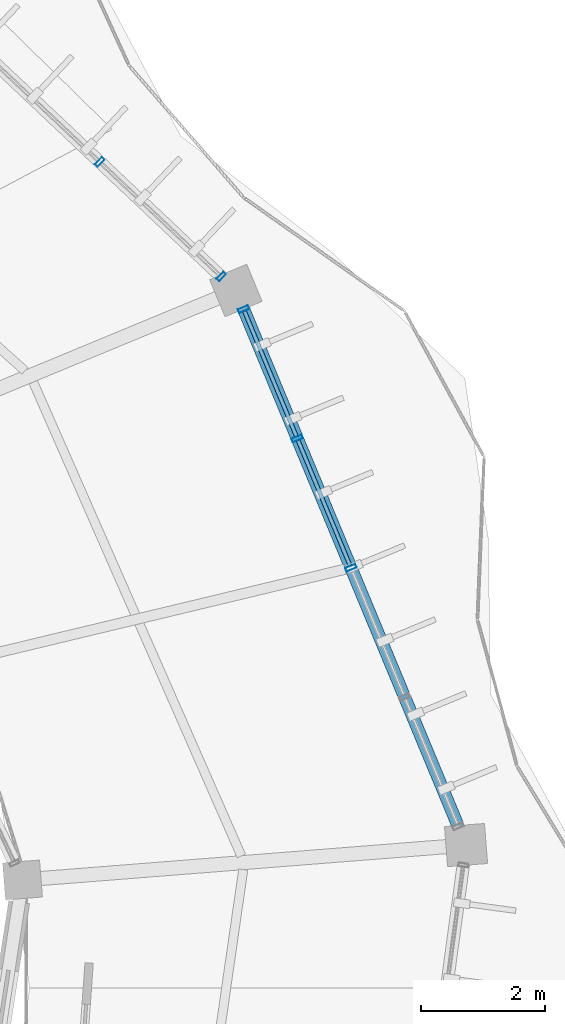
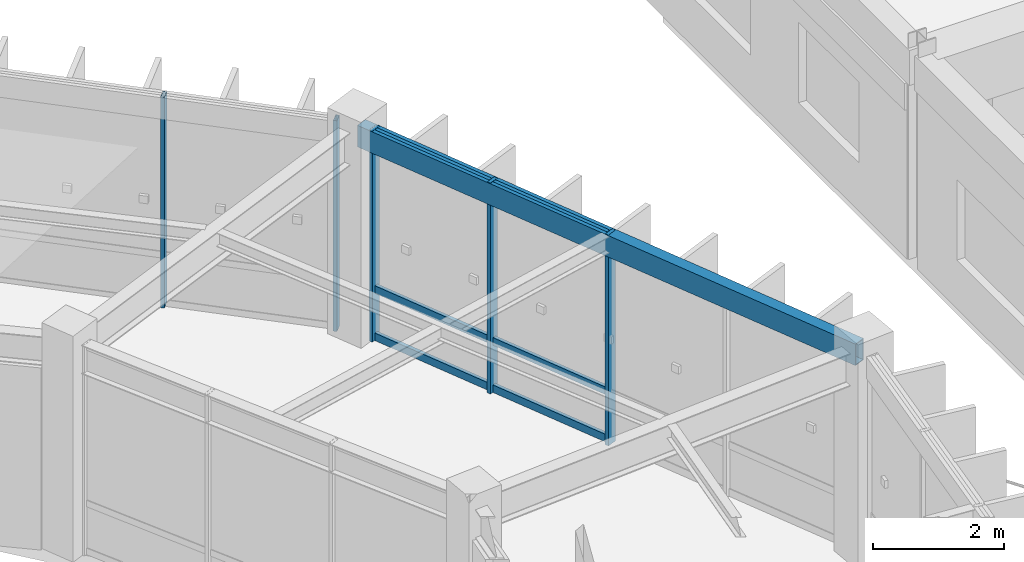
# One storey, part 81 of 114: 11 members, 1 beam, 2 elements without a shape of their own.
"""IFC4 building model written with IfcOpenShell, lengths in metres."""

from ifc_helpers import new_model, si_unit, direction, frame, origin, origin_2d, place, context, subcontext, project, spatial, hollow_rectangle, extrude, material, material_profile, profile_set, type_object, element, aggregate, save


model = new_model("IFC4")

# Units and contexts
model_context = context("Model", 3, precision=1e-05, world=origin(), true_north=direction((0.0, 1.0)))
body_context = subcontext(model_context, "Body", "Model", "MODEL_VIEW")
ifc_project = project(units=[si_unit("LENGTHUNIT", "METRE"), si_unit("AREAUNIT", "SQUARE_METRE"), si_unit("VOLUMEUNIT", "CUBIC_METRE"), si_unit("PLANEANGLEUNIT", "RADIAN"), si_unit("MASSUNIT", "GRAM", prefix="KILO"), si_unit("THERMODYNAMICTEMPERATUREUNIT", "KELVIN"), si_unit("POWERUNIT", "WATT")], contexts=[model_context])

# Site, building, storey
site_placement = place(None, origin())
site = spatial("IfcSite", under=ifc_project, at=site_placement, CompositionType="ELEMENT")
building_placement = place(site_placement, origin())
building = spatial("IfcBuilding", under=site, at=building_placement, Name="Darbajah Civic Hall", CompositionType="ELEMENT")
storey_placement = place(building_placement, frame((0.0, 0.0, 13.800048828125)))
storey = spatial("IfcBuildingStorey", under=building, at=storey_placement, Name="L03", CompositionType="ELEMENT", Elevation=13.800048828125)

# Curtain wall, members
ifc_material_1 = material(Name="Anodised Bronze Aluminium and Low-E Glazing", Category="aluminium")
curtain_wall_type_1 = type_object("IfcCurtainWallType", Name="Unitised Curtain Wall CW-39 10800x3900", PredefinedType="USERDEFINED", material=ifc_material_1)
curtain_wall_1_placement = place(storey_placement, origin())
curtain_wall_1 = element("IfcCurtainWall", 1, at=curtain_wall_1_placement, inside=storey, type_object=curtain_wall_type_1, Name="L03 unitised curtain wall CW-V1O-L03-01", ObjectType="UNITISED CURTAIN WALL", PredefinedType="USERDEFINED")
ifc_material_2 = material(Name="Anodised Bronze Aluminium", Category="aluminium")
ifc_material_profile_1 = material_profile(ifc_material_2, hollow_rectangle(XDim=0.06005859375, YDim=0.159912109375, WallThickness=0.00341796875, at=origin_2d()), Name="ALU MULLION 60x160")
ifc_profile_set_1 = profile_set([ifc_material_profile_1], Name="Anodised Bronze Aluminium")
member_type_1 = type_object("IfcMemberType", Name="ALU MULLION 60x160", PredefinedType="MULLION", material=ifc_profile_set_1)
member_1_placement = place(storey_placement, frame((135.97998046875, 101.313720703125, 0.0), z_axis=(0.0, 0.0, 1.0), x_axis=(-0.727173991201, 0.686453193248, 0.0)))
member_1 = element("IfcMember", 2, at=member_1_placement, type_object=member_type_1, Name="CW-V1O-L03-01 mullion 1", PredefinedType="MULLION", context=body_context, shape_type="SweptSolid", body=[
    extrude(hollow_rectangle(XDim=0.06005859375, YDim=0.159912109375, WallThickness=0.00341796875, at=origin_2d()), origin(), (0.0, 0.0, 1.0), 3.919921875),
])
member_2_placement = place(storey_placement, frame((134.0146484375, 103.168701171875, 0.0), z_axis=(0.0, 0.0, 1.0), x_axis=(-0.727173991201, 0.686453193248, 0.0)))
member_2 = element("IfcMember", 3, at=member_2_placement, type_object=member_type_1, Name="CW-V1O-L03-01 mullion 2", PredefinedType="MULLION", context=body_context, shape_type="SweptSolid", body=[
    extrude(hollow_rectangle(XDim=0.06005859375, YDim=0.159912109375, WallThickness=0.00341796875, at=origin_2d()), origin(), (0.0, 0.0, 1.0), 3.919921875),
])
aggregate(curtain_wall_1, [member_1, member_2])

curtain_wall_type_2 = type_object("IfcCurtainWallType", Name="Unitised Curtain Wall CW-54 9100x3900", PredefinedType="USERDEFINED", material=ifc_material_1)
curtain_wall_2_placement = place(storey_placement, origin())
curtain_wall_2 = element("IfcCurtainWall", 4, at=curtain_wall_2_placement, inside=storey, type_object=curtain_wall_type_2, Name="L03 unitised curtain wall CW-V1O-L03-00", ObjectType="UNITISED CURTAIN WALL", PredefinedType="USERDEFINED")
ifc_material_profile_2 = material_profile(ifc_material_2, hollow_rectangle(XDim=0.06494140625, YDim=0.179931640625, WallThickness=0.00390625, at=origin_2d()), Name="ALU MULLION 65x180")
ifc_profile_set_2 = profile_set([ifc_material_profile_2], Name="Anodised Bronze Aluminium")
member_type_2 = type_object("IfcMemberType", Name="ALU MULLION 65x180", PredefinedType="MULLION", material=ifc_profile_set_2)
member_3_placement = place(storey_placement, frame((138.080322265625, 96.601806640625, 0.0), z_axis=(0.0, 0.0, 1.0), x_axis=(-0.383328328644, 0.923612143954, 0.0)))
member_3 = element("IfcMember", 5, at=member_3_placement, type_object=member_type_2, Name="CW-V1O-L03-00 mullion 3", PredefinedType="MULLION", context=body_context, shape_type="SweptSolid", body=[
    extrude(hollow_rectangle(XDim=0.06494140625, YDim=0.179931640625, WallThickness=0.00390625, at=origin_2d()), origin(), (0.0, 0.0, 1.0), 3.919921875),
])
member_4_placement = place(storey_placement, frame((137.2119140625, 98.694580078125, 0.0), z_axis=(0.0, 0.0, 1.0), x_axis=(-0.383328328644, 0.923612143954, 0.0)))
member_4 = element("IfcMember", 6, at=member_4_placement, type_object=member_type_2, Name="CW-V1O-L03-00 mullion 4", PredefinedType="MULLION", context=body_context, shape_type="SweptSolid", body=[
    extrude(hollow_rectangle(XDim=0.06494140625, YDim=0.179931640625, WallThickness=0.00390625, at=origin_2d()), origin(), (0.0, 0.0, 1.0), 3.919921875),
])
member_5_placement = place(storey_placement, frame((136.34326171875, 100.787109375, 0.0), z_axis=(0.0, 0.0, 1.0), x_axis=(-0.383328328644, 0.923612143954, 0.0)))
member_5 = element("IfcMember", 7, at=member_5_placement, type_object=member_type_2, Name="CW-V1O-L03-00 mullion 5", PredefinedType="MULLION", context=body_context, shape_type="SweptSolid", body=[
    extrude(hollow_rectangle(XDim=0.06494140625, YDim=0.179931640625, WallThickness=0.00390625, at=origin_2d()), origin(), (0.0, 0.0, 1.0), 3.919921875),
])
ifc_material_profile_3 = material_profile(ifc_material_2, hollow_rectangle(XDim=0.06494140625, YDim=0.139892578125, WallThickness=0.00341796875, at=origin_2d()), Name="ALU TRANSOM 65x140")
ifc_profile_set_3 = profile_set([ifc_material_profile_3], Name="Anodised Bronze Aluminium")
member_type_3 = type_object("IfcMemberType", Name="ALU TRANSOM 65x140", PredefinedType="USERDEFINED", material=ifc_profile_set_3)
member_6_placement = place(storey_placement, frame((138.06591796875, 96.636474609375, 0.070068359375), z_axis=(-0.383253906107, 0.923643028152, 0.0), x_axis=(-0.923643028152, -0.383253906107, 0.0)))
member_6 = element("IfcMember", 8, at=member_6_placement, type_object=member_type_3, Name="CW-V1O-L03-00 transom 3.1", ObjectType="TRANSOM", PredefinedType="USERDEFINED", context=body_context, shape_type="SweptSolid", body=[
    extrude(hollow_rectangle(XDim=0.06494140625, YDim=0.139892578125, WallThickness=0.00341796875, at=origin_2d()), origin(), (0.0, 0.0, 1.0), 2.190673828125),
])
member_7_placement = place(storey_placement, frame((138.06591796875, 96.636474609375, 0.949951171875), z_axis=(-0.383253906107, 0.923643028152, 0.0), x_axis=(-0.923643028152, -0.383253906107, 0.0)))
member_7 = element("IfcMember", 9, at=member_7_placement, type_object=member_type_3, Name="CW-V1O-L03-00 transom 3.2", ObjectType="TRANSOM", PredefinedType="USERDEFINED", context=body_context, shape_type="SweptSolid", body=[
    extrude(hollow_rectangle(XDim=0.06494140625, YDim=0.139892578125, WallThickness=0.00341796875, at=origin_2d()), origin(), (0.0, 0.0, 1.0), 2.190673828125),
])
member_8_placement = place(storey_placement, frame((138.06591796875, 96.636474609375, 3.849853515625), z_axis=(-0.383253906107, 0.923643028152, 0.0), x_axis=(-0.923643028152, -0.383253906107, 0.0)))
member_8 = element("IfcMember", 10, at=member_8_placement, type_object=member_type_3, Name="CW-V1O-L03-00 transom 3.3", ObjectType="TRANSOM", PredefinedType="USERDEFINED", context=body_context, shape_type="SweptSolid", body=[
    extrude(hollow_rectangle(XDim=0.06494140625, YDim=0.139892578125, WallThickness=0.00341796875, at=origin_2d()), origin(), (0.0, 0.0, 1.0), 2.190673828125),
])
member_9_placement = place(storey_placement, frame((137.197509765625, 98.729248046875, 0.070068359375), z_axis=(-0.383348974226, 0.923603575112, 0.0), x_axis=(-0.923603575112, -0.383348974226, 0.0)))
member_9 = element("IfcMember", 11, at=member_9_placement, type_object=member_type_3, Name="CW-V1O-L03-00 transom 4.1", ObjectType="TRANSOM", PredefinedType="USERDEFINED", context=body_context, shape_type="SweptSolid", body=[
    extrude(hollow_rectangle(XDim=0.06494140625, YDim=0.139892578125, WallThickness=0.00341796875, at=origin_2d()), origin(), (0.0, 0.0, 1.0), 2.19091796875),
])
member_10_placement = place(storey_placement, frame((137.197509765625, 98.729248046875, 0.949951171875), z_axis=(-0.383348974226, 0.923603575112, 0.0), x_axis=(-0.923603575112, -0.383348974226, 0.0)))
member_10 = element("IfcMember", 12, at=member_10_placement, type_object=member_type_3, Name="CW-V1O-L03-00 transom 4.2", ObjectType="TRANSOM", PredefinedType="USERDEFINED", context=body_context, shape_type="SweptSolid", body=[
    extrude(hollow_rectangle(XDim=0.06494140625, YDim=0.139892578125, WallThickness=0.00341796875, at=origin_2d()), origin(), (0.0, 0.0, 1.0), 2.19091796875),
])
member_11_placement = place(storey_placement, frame((137.197509765625, 98.729248046875, 3.849853515625), z_axis=(-0.383348974226, 0.923603575112, 0.0), x_axis=(-0.923603575112, -0.383348974226, 0.0)))
member_11 = element("IfcMember", 13, at=member_11_placement, type_object=member_type_3, Name="CW-V1O-L03-00 transom 4.3", ObjectType="TRANSOM", PredefinedType="USERDEFINED", context=body_context, shape_type="SweptSolid", body=[
    extrude(hollow_rectangle(XDim=0.06494140625, YDim=0.139892578125, WallThickness=0.00341796875, at=origin_2d()), origin(), (0.0, 0.0, 1.0), 2.19091796875),
])
aggregate(curtain_wall_2, [member_3, member_4, member_5, member_6, member_7, member_8, member_9, member_10, member_11])

# Beam
ifc_material_3 = material(Name="Steel S355JR", Category="steel")
ifc_material_profile_4 = material_profile(ifc_material_3, hollow_rectangle(XDim=0.199951171875, YDim=0.39990234375, WallThickness=0.013916015625, at=origin_2d()), Name="RHS 400x200x14")
ifc_profile_set_4 = profile_set([ifc_material_profile_4], Name="Steel S355JR")
beam_type = type_object("IfcBeamType", Name="RHS 400x200x14", PredefinedType="SPANDREL", material=ifc_profile_set_4)
beam_placement = place(storey_placement, frame((139.912109375, 92.1884765625, 3.719970703125), z_axis=(-0.38333984527, 0.923607364104, 0.0), x_axis=(-0.923607364104, -0.38333984527, 0.0)))
element("IfcBeam", 14, at=beam_placement, inside=storey, type_object=beam_type, Name="L03 beam SP-RHS400", PredefinedType="SPANDREL", context=body_context, shape_type="SweptSolid", body=[
    extrude(hollow_rectangle(XDim=0.199951171875, YDim=0.39990234375, WallThickness=0.013916015625, at=origin_2d()), origin(), (0.0, 0.0, 1.0), 9.556884765625),
])

save(model, "model.ifc")
